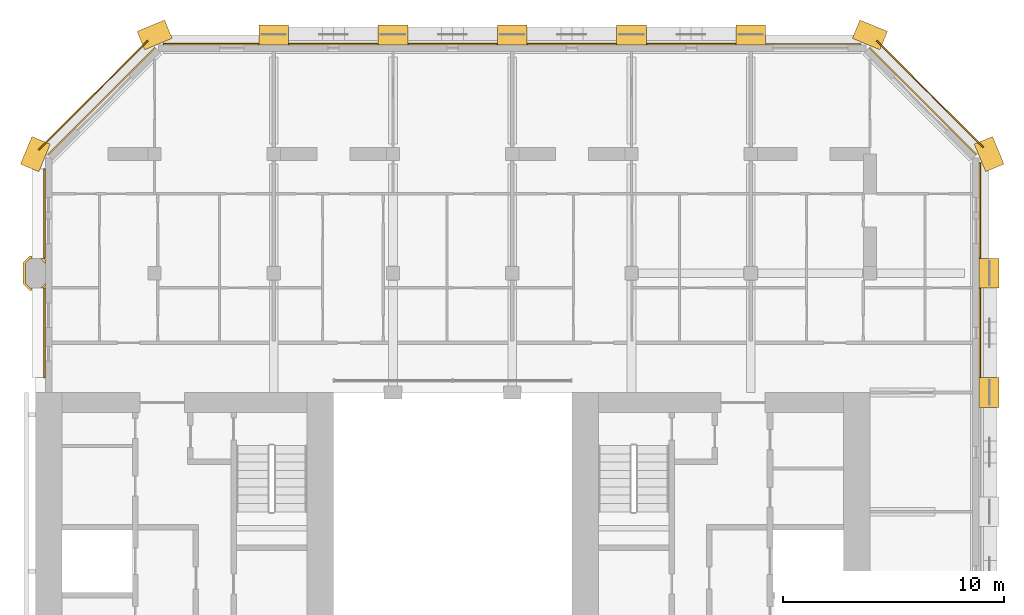
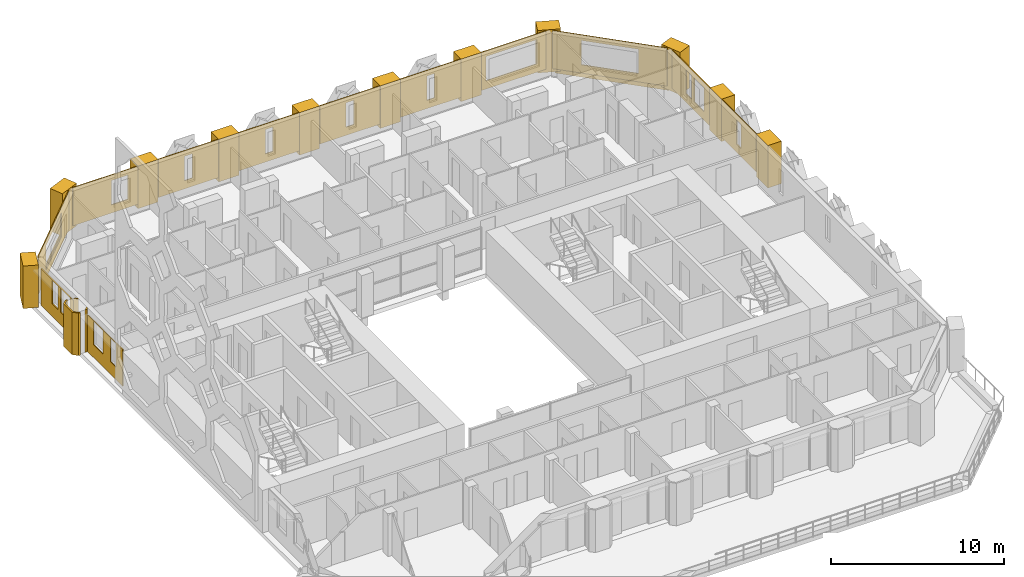
# One storey, part 17 of 17: 28 coverings.
"""IFC4 building model written with IfcOpenShell, lengths in metres."""

from ifc_helpers import new_model, si_unit, direction, frame, frame_2d, origin, place, context, subcontext, project, spatial, polyline, rectangle, outline, extrude, material, layer, layer_set, type_object, element, save


model = new_model("IFC4")

# Units and contexts
model_context = context("Model", 3, precision=1e-05, world=origin(), true_north=direction((0.0, 1.0)))
body_context = subcontext(model_context, "Body", "Model", "MODEL_VIEW")
ifc_project = project(units=[si_unit("LENGTHUNIT", "METRE"), si_unit("AREAUNIT", "SQUARE_METRE"), si_unit("VOLUMEUNIT", "CUBIC_METRE"), si_unit("PLANEANGLEUNIT", "RADIAN"), si_unit("MASSUNIT", "GRAM", prefix="KILO")], contexts=[model_context])

# Site, building, storey
site_placement = place(None, origin())
site = spatial("IfcSite", under=ifc_project, at=site_placement, CompositionType="ELEMENT")
building_placement = place(site_placement, origin())
building = spatial("IfcBuilding", under=site, at=building_placement, Name="Tabaq Tower and Sports Hall", CompositionType="ELEMENT")
storey_placement = place(building_placement, frame((0.0, 0.0, 288.39990234375)))
storey = spatial("IfcBuildingStorey", under=building, at=storey_placement, Name="L71", CompositionType="ELEMENT", Elevation=288.39990234375)

# Coverings
ifc_material_1 = material(Name="Precast concrete C60/75", Category="concrete")
ifc_layer_1 = layer(ifc_material_1, 0.10009765625)
ifc_layer_set_1 = layer_set([ifc_layer_1], Name="Column cladding 100")
covering_type_1 = type_object("IfcCoveringType", Name="Column cladding 100", PredefinedType="CLADDING", material=ifc_layer_set_1)
covering_1_placement = place(storey_placement, origin())
element("IfcCovering", 1, at=covering_1_placement, inside=storey, type_object=covering_type_1, Name="Column cladding L71 PC-2H-R2", PredefinedType="CLADDING", context=body_context, shape_type="SweptSolid", body=[
    extrude(outline(polyline([(5.1337890625, 37.025634765625), (4.8505859375, 37.308837890625), (4.8505859375, 38.291259765625), (5.1337890625, 38.574462890625), (5.24951171875, 38.574462890625), (5.24951171875, 38.4755859375), (5.1748046875, 38.4755859375), (4.949462890625, 38.250244140625), (4.949462890625, 37.349853515625), (5.1748046875, 37.12451171875), (5.24951171875, 37.12451171875), (5.24951171875, 37.025634765625), (5.1337890625, 37.025634765625)])), origin(), (0.0, 0.0, 1.0), 3.0),
])
covering_2_placement = place(storey_placement, origin())
element("IfcCovering", 2, at=covering_2_placement, inside=storey, type_object=covering_type_1, Name="Column cladding L71 PC-2H-R2 2", PredefinedType="CLADDING", context=body_context, shape_type="SweptSolid", body=[
    extrude(outline(polyline([(5.766357421875, 37.125244140625), (5.625732421875, 37.125244140625), (5.849609375, 37.349365234375), (5.849609375, 37.208740234375), (5.766357421875, 37.125244140625)])), origin(), (0.0, 0.0, 1.0), 3.0),
])
covering_3_placement = place(storey_placement, origin())
element("IfcCovering", 3, at=covering_3_placement, inside=storey, type_object=covering_type_1, Name="Column cladding L71 PC-2H-R2 3", PredefinedType="CLADDING", context=body_context, shape_type="SweptSolid", body=[
    extrude(outline(polyline([(5.62646484375, 38.474365234375), (5.76611328125, 38.474365234375), (5.849365234375, 38.39111328125), (5.849365234375, 38.25146484375), (5.62646484375, 38.474365234375)])), origin(), (0.0, 0.0, 1.0), 3.0),
])
ifc_material_2 = material(Name="Precast concrete C60/75", Category="concrete")
ifc_layer_2 = layer(ifc_material_2, 0.06005859375)
ifc_layer_set_2 = layer_set([ifc_layer_2], Name="Edge beam cladding 60")
covering_type_2 = type_object("IfcCoveringType", Name="Edge beam cladding 60", PredefinedType="CLADDING", material=ifc_layer_set_2)
covering_4_placement = place(storey_placement, frame((48.3369140625, 43.505615234375, -0.2998046875), z_axis=(0.0, 0.0, 1.0), x_axis=(-0.707106781187, 0.707106781187, 0.0)))
element("IfcCovering", 4, at=covering_4_placement, inside=storey, type_object=covering_type_2, Name="Edge beam cladding L71 2", PredefinedType="CLADDING", context=body_context, shape_type="SweptSolid", body=[
    extrude(rectangle(XDim=6.83251953125, YDim=0.06005859375, at=frame_2d((3.416259765625, 0.0))), origin(), (0.0, 0.0, 1.0), 0.2998046875),
])
covering_5_placement = place(storey_placement, frame((10.494384765625, 48.3369140625, -0.2998046875), z_axis=(0.0, 0.0, 1.0), x_axis=(-0.707089303851, -0.70712425809, 0.0)))
element("IfcCovering", 5, at=covering_5_placement, inside=storey, type_object=covering_type_2, Name="Edge beam cladding L71 4", PredefinedType="CLADDING", context=body_context, shape_type="SweptSolid", body=[
    extrude(rectangle(XDim=6.984619140625, YDim=0.06005859375, at=frame_2d((3.4921875, 0.0))), origin(), (0.0, 0.0, 1.0), 0.2998046875),
])
ifc_material_3 = material(Name="White precast concrete C60/75", Category="concrete")
covering_type_3 = type_object("IfcCoveringType", Name="Pier cladding hung 1350x900", PredefinedType="CLADDING", material=ifc_material_3)
for number, where, z_axis, x_axis, name in (
    (6, (5.658203125, 43.82373046875, 0.0), (0.0, 0.0, 1.0), (-0.382649923473, -0.923893411637, 0.0), "Hung pier cladding 1/8"),
    (7, (11.423583984375, 48.8583984375, 0.0), (0.0, 0.0, 1.0), (-0.923893411637, -0.382649923473, 0.0), "Hung pier cladding 2/9"),
    (8, (16.875, 48.60009765625, 0.0), (0.0, 0.0, 1.0), (-1.0, 0.0, 0.0), "Hung pier cladding 3/9"),
):
    element("IfcCovering", number, at=place(storey_placement, frame(where, z_axis=z_axis, x_axis=x_axis)), inside=storey, type_object=covering_type_3, Name=name, PredefinedType="CLADDING", context=body_context, shape_type="SweptSolid", body=[
        extrude(rectangle(XDim=1.35009765625, YDim=0.89990234375, at=frame_2d((0.675048828125, 0.0))), origin(), (0.0, 0.0, 1.0), 3.0),
    ])
covering_6_placement = place(storey_placement, frame((22.27490234375, 48.60009765625, 0.0), z_axis=(0.0, 0.0, 1.0), x_axis=(-1.0, 0.0, 0.0)))
element("IfcCovering", 9, at=covering_6_placement, inside=storey, type_object=covering_type_3, Name="Hung pier cladding 4/9", PredefinedType="CLADDING", context=body_context, shape_type="SweptSolid", body=[
    extrude(rectangle(XDim=1.349853515625, YDim=0.89990234375, at=frame_2d((0.6748046875, 0.0))), origin(), (0.0, 0.0, 1.0), 3.0),
])
covering_7_placement = place(storey_placement, frame((27.675048828125, 48.60009765625, 0.0), z_axis=(0.0, 0.0, 1.0), x_axis=(-1.0, 0.0, 0.0)))
element("IfcCovering", 10, at=covering_7_placement, inside=storey, type_object=covering_type_3, Name="Hung pier cladding 5/9", PredefinedType="CLADDING", context=body_context, shape_type="SweptSolid", body=[
    extrude(rectangle(XDim=1.35009765625, YDim=0.89990234375, at=frame_2d((0.675048828125, 0.0))), origin(), (0.0, 0.0, 1.0), 3.0),
])
covering_8_placement = place(storey_placement, frame((33.074951171875, 48.60009765625, 0.0), z_axis=(0.0, 0.0, 1.0), x_axis=(-1.0, 0.0, 0.0)))
element("IfcCovering", 11, at=covering_8_placement, inside=storey, type_object=covering_type_3, Name="Hung pier cladding 6/9", PredefinedType="CLADDING", context=body_context, shape_type="SweptSolid", body=[
    extrude(rectangle(XDim=1.349853515625, YDim=0.89990234375, at=frame_2d((0.6748046875, 0.0))), origin(), (0.0, 0.0, 1.0), 3.0),
])
for number, where, z_axis, x_axis, name in (
    (12, (38.47509765625, 48.60009765625, 0.0), (0.0, 0.0, 1.0), (-1.0, 0.0, 0.0), "Hung pier cladding 7/9"),
    (13, (43.82373046875, 48.341796875, 0.0), (0.0, 0.0, 1.0), (-0.923893411637, 0.382649923473, 0.0), "Hung pier cladding 8/9"),
):
    element("IfcCovering", number, at=place(storey_placement, frame(where, z_axis=z_axis, x_axis=x_axis)), inside=storey, type_object=covering_type_3, Name=name, PredefinedType="CLADDING", context=body_context, shape_type="SweptSolid", body=[
        extrude(rectangle(XDim=1.35009765625, YDim=0.89990234375, at=frame_2d((0.675048828125, 0.0))), origin(), (0.0, 0.0, 1.0), 3.0),
    ])
covering_9_placement = place(storey_placement, frame((48.60009765625, 31.72509765625, 0.0), z_axis=(0.0, 0.0, 1.0), x_axis=(0.0, 1.0, 0.0)))
element("IfcCovering", 14, at=covering_9_placement, inside=storey, type_object=covering_type_3, Name="Hung pier cladding 9/6", PredefinedType="CLADDING", context=body_context, shape_type="SweptSolid", body=[
    extrude(rectangle(XDim=1.349853515625, YDim=0.89990234375, at=frame_2d((0.6748046875, 0.0))), origin(), (0.0, 0.0, 1.0), 3.0),
])
for number, where, z_axis, x_axis, name in (
    (15, (48.60009765625, 37.125, 0.0), (0.0, 0.0, 1.0), (0.0, 1.0, 0.0), "Hung pier cladding 9/7"),
    (16, (48.8583984375, 42.576416015625, 0.0), (0.0, 0.0, 1.0), (-0.382649923473, 0.923893411637, 0.0), "Hung pier cladding 9/8"),
):
    element("IfcCovering", number, at=place(storey_placement, frame(where, z_axis=z_axis, x_axis=x_axis)), inside=storey, type_object=covering_type_3, Name=name, PredefinedType="CLADDING", context=body_context, shape_type="SweptSolid", body=[
        extrude(rectangle(XDim=1.35009765625, YDim=0.89990234375, at=frame_2d((0.675048828125, 0.0))), origin(), (0.0, 0.0, 1.0), 3.0),
    ])
ifc_material_4 = material(Name="Precast concrete C60/75", Category="concrete")
ifc_layer_3 = layer(ifc_material_4, 0.06005859375)
ifc_layer_set_3 = layer_set([ifc_layer_3], Name="White precast cladding panel 60 C60/75")
covering_type_4 = type_object("IfcCoveringType", Name="White precast cladding panel 60 C60/75", PredefinedType="CLADDING", material=ifc_layer_set_3)
covering_10_placement = place(storey_placement, frame((48.179931640625, 33.0849609375, 0.31005859375), z_axis=(0.0, 0.0, 1.0), x_axis=(0.0, 1.0, 0.0)))
element("IfcCovering", 17, at=covering_10_placement, inside=storey, type_object=covering_type_4, Name="White precast cladding panel L71 wall02 5", PredefinedType="CLADDING", context=body_context, shape_type="SweptSolid", body=[
    extrude(outline(polyline([(0.0, 0.0), (4.030029296875, 0.0), (4.030029296875, 2.68994140625), (0.0, 2.68994140625), (0.0, 0.0)]), holes=[polyline([(1.7548828125, 0.580078125), (1.7548828125, 2.300048828125), (2.27490234375, 2.300048828125), (2.27490234375, 0.580078125), (1.7548828125, 0.580078125)])]), frame((0.0, 0.030029296875, 0.0), z_axis=(0.0, -1.0, 0.0), x_axis=(1.0, 0.0, 0.0)), (0.0, 0.0, 1.0), 0.06005859375),
])
covering_11_placement = place(storey_placement, frame((48.179931640625, 38.485107421875, 0.31005859375), z_axis=(0.0, 0.0, 1.0), x_axis=(0.0, 1.0, 0.0)))
element("IfcCovering", 18, at=covering_11_placement, inside=storey, type_object=covering_type_4, Name="White precast cladding panel L71 wall02 6", PredefinedType="CLADDING", context=body_context, shape_type="SweptSolid", body=[
    extrude(outline(polyline([(0.0, 0.0), (4.32275390625, 0.0), (4.32275390625, 2.68994140625), (0.0, 2.68994140625), (0.0, 0.0)]), holes=[polyline([(0.655029296875, 2.300048828125), (1.77490234375, 2.300048828125), (1.77490234375, 0.580078125), (0.655029296875, 0.580078125), (0.655029296875, 2.300048828125)]), polyline([(2.080078125, 2.300048828125), (2.75, 2.300048828125), (2.75, 0.580078125), (2.080078125, 0.580078125), (2.080078125, 2.300048828125)])]), frame((0.0, 0.030029296875, 0.0), z_axis=(0.0, -1.0, 0.0), x_axis=(1.0, 0.0, 0.0)), (0.0, 0.0, 1.0), 0.06005859375),
])
covering_12_placement = place(storey_placement, frame((48.02587890625, 43.18017578125, 0.31005859375), z_axis=(0.0, 0.0, 1.0), x_axis=(-0.707106781187, 0.707106781187, 0.0)))
element("IfcCovering", 19, at=covering_12_placement, inside=storey, type_object=covering_type_4, Name="White precast cladding panel L71 wall03", PredefinedType="CLADDING", context=body_context, shape_type="SweptSolid", body=[
    extrude(outline(polyline([(0.0, 0.0), (6.852783203125, 0.0), (6.852783203125, 2.68994140625), (0.0, 2.68994140625), (0.0, 0.0)]), holes=[polyline([(1.71630859375, 0.580078125), (1.71630859375, 2.300048828125), (5.13623046875, 2.300048828125), (5.13623046875, 0.580078125), (1.71630859375, 0.580078125)])]), frame((0.0, 0.030029296875, 0.0), z_axis=(0.0, -1.0, 0.0), x_axis=(1.0, 0.0, 0.0)), (0.0, 0.0, 1.0), 0.06005859375),
])
covering_13_placement = place(storey_placement, frame((42.807861328125, 48.179931640625, 0.31005859375), z_axis=(0.0, 0.0, 1.0), x_axis=(-1.0, 0.0, 0.0)))
element("IfcCovering", 20, at=covering_13_placement, inside=storey, type_object=covering_type_4, Name="White precast cladding panel L71 wall04", PredefinedType="CLADDING", context=body_context, shape_type="SweptSolid", body=[
    extrude(outline(polyline([(0.0, 0.0), (4.32275390625, 0.0), (4.32275390625, 2.68994140625), (0.0, 2.68994140625), (0.0, 0.0)]), holes=[polyline([(0.597900390625, 0.580078125), (0.597900390625, 2.300048828125), (4.017822265625, 2.300048828125), (4.017822265625, 0.580078125), (0.597900390625, 0.580078125)])]), frame((0.0, 0.030029296875, 0.0), z_axis=(0.0, -1.0, 0.0), x_axis=(1.0, 0.0, 0.0)), (0.0, 0.0, 1.0), 0.06005859375),
])
for number, where, z_axis, x_axis, name in (
    (21, (37.114990234375, 48.179931640625, 0.31005859375), (0.0, 0.0, 1.0), (-1.0, 0.0, 0.0), "White precast cladding panel L71 wall04 2"),
    (22, (31.715087890625, 48.179931640625, 0.31005859375), (0.0, 0.0, 1.0), (-1.0, 0.0, 0.0), "White precast cladding panel L71 wall04 3"),
    (23, (26.31494140625, 48.179931640625, 0.31005859375), (0.0, 0.0, 1.0), (-1.0, 0.0, 0.0), "White precast cladding panel L71 wall04 4"),
    (24, (20.9150390625, 48.179931640625, 0.31005859375), (0.0, 0.0, 1.0), (-1.0, 0.0, 0.0), "White precast cladding panel L71 wall04 5"),
):
    element("IfcCovering", number, at=place(storey_placement, frame(where, z_axis=z_axis, x_axis=x_axis)), inside=storey, type_object=covering_type_4, Name=name, PredefinedType="CLADDING", context=body_context, shape_type="SweptSolid", body=[
        extrude(outline(polyline([(0.0, 0.0), (4.030029296875, 0.0), (4.030029296875, 2.68994140625), (0.0, 2.68994140625), (0.0, 0.0)]), holes=[polyline([(1.7548828125, 0.580078125), (1.7548828125, 2.300048828125), (2.27490234375, 2.300048828125), (2.27490234375, 0.580078125), (1.7548828125, 0.580078125)])]), frame((0.0, 0.030029296875, 0.0), z_axis=(0.0, -1.0, 0.0), x_axis=(1.0, 0.0, 0.0)), (0.0, 0.0, 1.0), 0.06005859375),
    ])
covering_14_placement = place(storey_placement, frame((15.514892578125, 48.179931640625, 0.31005859375), z_axis=(0.0, 0.0, 1.0), x_axis=(-1.0, 0.0, 0.0)))
element("IfcCovering", 25, at=covering_14_placement, inside=storey, type_object=covering_type_4, Name="White precast cladding panel L71 wall04 6", PredefinedType="CLADDING", context=body_context, shape_type="SweptSolid", body=[
    extrude(outline(polyline([(0.0, 0.0), (4.32275390625, 0.0), (4.32275390625, 2.68994140625), (0.0, 2.68994140625), (0.0, 0.0)]), holes=[polyline([(0.655029296875, 0.580078125), (0.655029296875, 2.300048828125), (1.77490234375, 2.300048828125), (1.77490234375, 0.580078125), (0.655029296875, 0.580078125)])]), frame((0.0, 0.030029296875, 0.0), z_axis=(0.0, -1.0, 0.0), x_axis=(1.0, 0.0, 0.0)), (0.0, 0.0, 1.0), 0.06005859375),
])
covering_15_placement = place(storey_placement, frame((10.81982421875, 48.02587890625, 0.31005859375), z_axis=(0.0, 0.0, 1.0), x_axis=(-0.707106781187, -0.707106781187, 0.0)))
element("IfcCovering", 26, at=covering_15_placement, inside=storey, type_object=covering_type_4, Name="White precast cladding panel L71 wall05", PredefinedType="CLADDING", context=body_context, shape_type="SweptSolid", body=[
    extrude(outline(polyline([(0.0, 0.0), (6.856201171875, 0.0), (6.856201171875, 2.68994140625), (0.0, 2.68994140625), (0.0, 0.0)]), holes=[polyline([(1.71630859375, 0.580078125), (1.71630859375, 2.300048828125), (5.13623046875, 2.300048828125), (5.13623046875, 0.580078125), (1.71630859375, 0.580078125)])]), frame((0.0, 0.030029296875, 0.0), z_axis=(0.0, -1.0, 0.0), x_axis=(1.0, 0.0, 0.0)), (0.0, 0.0, 1.0), 0.06005859375),
])
covering_16_placement = place(storey_placement, frame((5.820068359375, 42.534912109375, 0.0), z_axis=(0.0, 0.0, 1.0), x_axis=(0.0, -1.0, 0.0)))
element("IfcCovering", 27, at=covering_16_placement, inside=storey, type_object=covering_type_4, Name="White precast cladding panel L71 wall06", PredefinedType="CLADDING", context=body_context, shape_type="SweptSolid", body=[
    extrude(outline(polyline([(0.0, 0.0), (4.0498046875, 0.0), (4.0498046875, 2.590087890625), (0.0, 2.590087890625), (0.0, 0.0)]), holes=[polyline([(1.300048828125, 0.89013671875), (1.300048828125, 2.56005859375), (1.969970703125, 2.56005859375), (1.969970703125, 0.89013671875), (1.300048828125, 0.89013671875)]), polyline([(2.27490234375, 0.89013671875), (2.27490234375, 2.56005859375), (3.39501953125, 2.56005859375), (3.39501953125, 0.89013671875), (2.27490234375, 0.89013671875)])]), frame((0.0, 0.030029296875, 0.0), z_axis=(0.0, -1.0, 0.0), x_axis=(1.0, 0.0, 0.0)), (0.0, 0.0, 1.0), 0.06005859375),
])
covering_17_placement = place(storey_placement, frame((5.820068359375, 37.114990234375, 0.0), z_axis=(0.0, 0.0, 1.0), x_axis=(0.0, -1.0, 0.0)))
element("IfcCovering", 28, at=covering_17_placement, inside=storey, type_object=covering_type_4, Name="White precast cladding panel L71 wall06 2", PredefinedType="CLADDING", context=body_context, shape_type="SweptSolid", body=[
    extrude(outline(polyline([(0.0, 0.0), (4.050048828125, 0.0), (4.050048828125, 2.590087890625), (0.0, 2.590087890625), (0.0, 0.0)]), holes=[polyline([(0.655029296875, 0.89013671875), (0.655029296875, 2.56005859375), (1.77490234375, 2.56005859375), (1.77490234375, 0.89013671875), (0.655029296875, 0.89013671875)]), polyline([(2.6298828125, 0.89013671875), (2.6298828125, 2.56005859375), (3.300048828125, 2.56005859375), (3.300048828125, 0.89013671875), (2.6298828125, 0.89013671875)])]), frame((0.0, 0.030029296875, 0.0), z_axis=(0.0, -1.0, 0.0), x_axis=(1.0, 0.0, 0.0)), (0.0, 0.0, 1.0), 0.06005859375),
])

save(model, "model.ifc")
